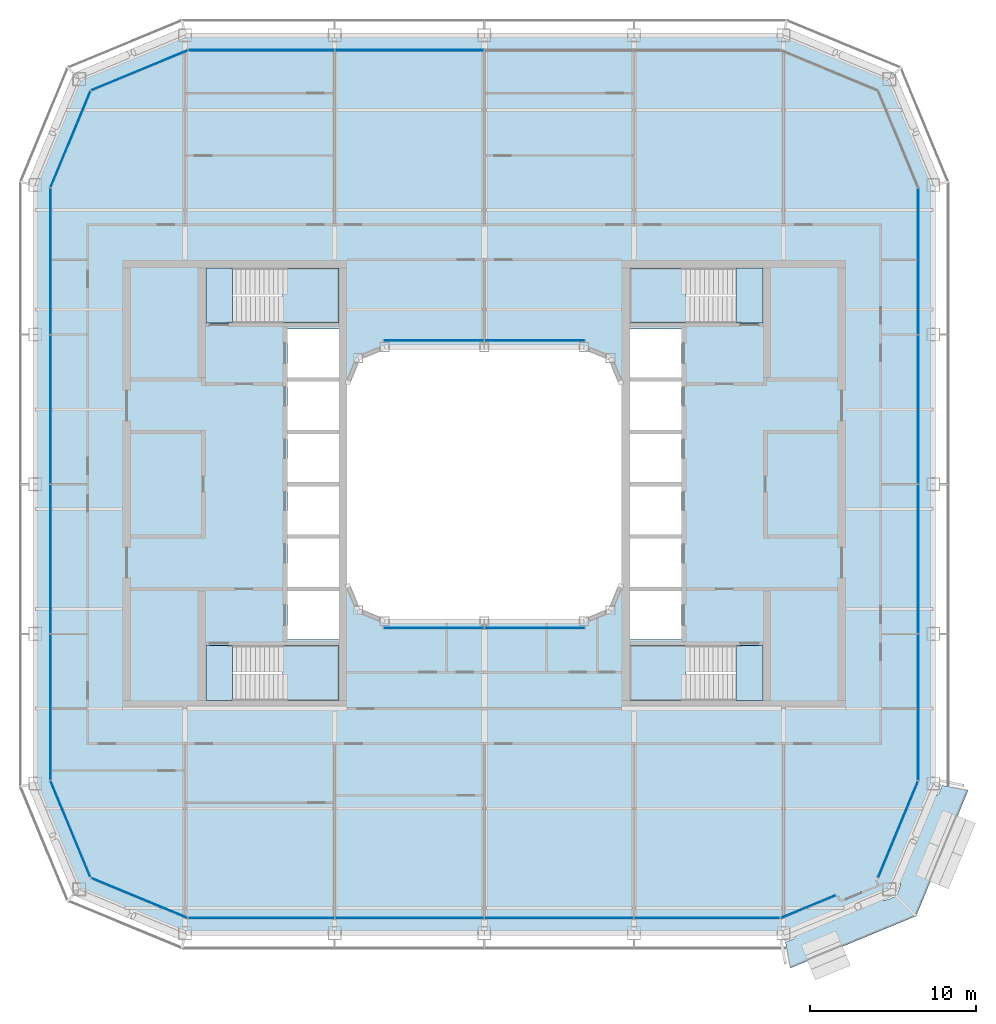
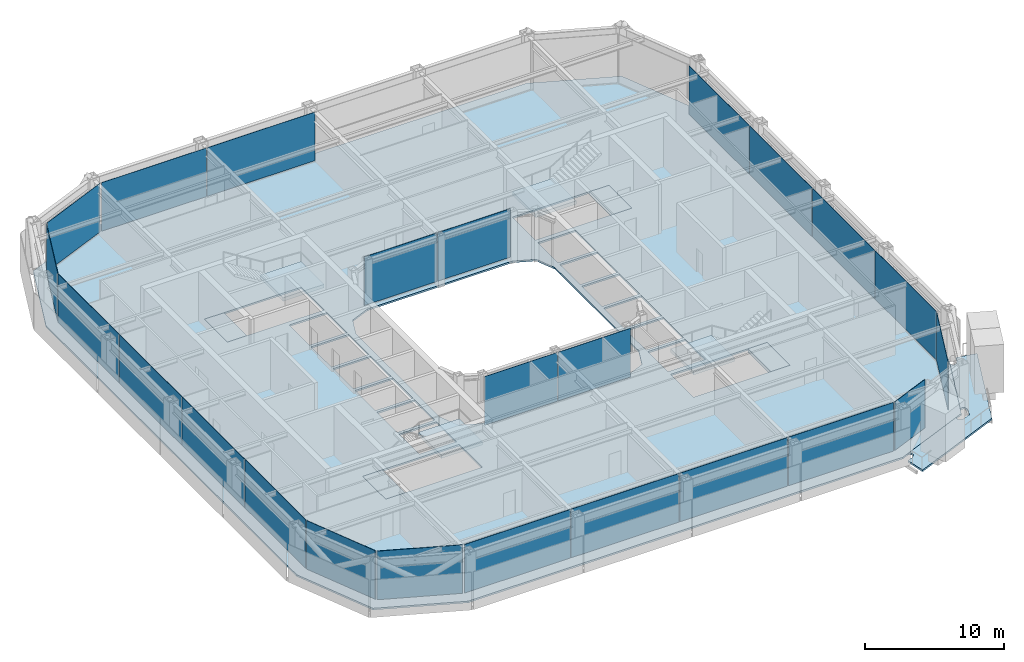
# One storey, part 11 of 23: 24 plates, 10 slabs, 16 elements without a shape of their own.
"""IFC4 building model written with IfcOpenShell, lengths in metres."""

from ifc_helpers import new_model, si_unit, direction, frame, origin, origin_2d, place, context, subcontext, project, spatial, polyline, rectangle, outline, extrude, material, layer, layer_set, type_object, element, aggregate, save


model = new_model("IFC4")

# Units and contexts
model_context = context("Model", 3, precision=1e-05, world=origin(), true_north=direction((0.0, 1.0)))
body_context = subcontext(model_context, "Body", "Model", "MODEL_VIEW")
ifc_project = project(units=[si_unit("LENGTHUNIT", "METRE"), si_unit("AREAUNIT", "SQUARE_METRE"), si_unit("VOLUMEUNIT", "CUBIC_METRE"), si_unit("PLANEANGLEUNIT", "RADIAN"), si_unit("MASSUNIT", "GRAM", prefix="KILO")], contexts=[model_context])

# Site, building, storey
site_placement = place(None, origin())
site = spatial("IfcSite", under=ifc_project, at=site_placement, CompositionType="ELEMENT")
building_placement = place(site_placement, origin())
building = spatial("IfcBuilding", under=site, at=building_placement, Name="Siwar Civic Tower", CompositionType="ELEMENT")
storey_placement = place(building_placement, frame((0.0, 0.0, 237.699951171875)))
storey = spatial("IfcBuildingStorey", under=building, at=storey_placement, Name="L51", CompositionType="ELEMENT", Elevation=237.699951171875)

# Stair, slabs
ifc_material_1 = material(Name="Concrete C40/50", Category="concrete")
stair_type = type_object("IfcStairType", Name="CORE-STAIR", PredefinedType="TWO_STRAIGHT_RUN_STAIR", material=ifc_material_1)
stair_1_placement = place(storey_placement, origin())
stair_1 = element("IfcStair", 1, at=stair_1_placement, inside=storey, type_object=stair_type, Name="Exit stair ST1", PredefinedType="TWO_STRAIGHT_RUN_STAIR")
ifc_material_2 = material(Name="Concrete C40/50", Category="concrete")
ifc_layer_1 = layer(ifc_material_2, 0.300048828125)
ifc_layer_set_1 = layer_set([ifc_layer_1], Name="Concrete C40/50")
slab_type_1 = type_object("IfcSlabType", Name="CORE-STAIR-LANDING", PredefinedType="LANDING", material=ifc_layer_set_1)
slab_1_placement = place(storey_placement, frame((0.0, 0.0, -0.300048828125)))
slab_1 = element("IfcSlab", 2, at=slab_1_placement, type_object=slab_type_1, Name="ST1 landing 1", PredefinedType="LANDING", context=body_context, shape_type="SweptSolid", body=[
    extrude(outline(polyline([(-15.14990234375, 13.0), (-16.75, 13.0), (-16.75, 9.699951171875), (-15.14990234375, 9.699951171875), (-15.14990234375, 13.0)])), origin(), (0.0, 0.0, 1.0), 0.300048828125),
])
slab_2_placement = place(storey_placement, frame((0.0, 0.0, 1.949951171875)))
slab_2 = element("IfcSlab", 3, at=slab_2_placement, type_object=slab_type_1, Name="ST1 landing 2", PredefinedType="LANDING", context=body_context, shape_type="SweptSolid", body=[
    extrude(outline(polyline([(-8.75, 13.0), (-12.139892578125, 13.0), (-12.139892578125, 9.699951171875), (-8.75, 9.699951171875), (-8.75, 13.0)])), origin(), (0.0, 0.0, 1.0), 0.300048828125),
])
aggregate(stair_1, [slab_1, slab_2])

stair_2_placement = place(storey_placement, origin())
stair_2 = element("IfcStair", 4, at=stair_2_placement, inside=storey, type_object=stair_type, Name="Exit stair ST2", PredefinedType="TWO_STRAIGHT_RUN_STAIR")
slab_3_placement = place(storey_placement, frame((0.0, 0.0, -0.300048828125)))
slab_3 = element("IfcSlab", 5, at=slab_3_placement, type_object=slab_type_1, Name="ST2 landing 1", PredefinedType="LANDING", context=body_context, shape_type="SweptSolid", body=[
    extrude(outline(polyline([(-15.14990234375, -9.699951171875), (-16.75, -9.699951171875), (-16.75, -13.0), (-15.14990234375, -13.0), (-15.14990234375, -9.699951171875)])), origin(), (0.0, 0.0, 1.0), 0.300048828125),
])
slab_4_placement = place(storey_placement, frame((0.0, 0.0, 1.949951171875)))
slab_4 = element("IfcSlab", 6, at=slab_4_placement, type_object=slab_type_1, Name="ST2 landing 2", PredefinedType="LANDING", context=body_context, shape_type="SweptSolid", body=[
    extrude(outline(polyline([(-8.75, -9.699951171875), (-12.139892578125, -9.699951171875), (-12.139892578125, -13.0), (-8.75, -13.0), (-8.75, -9.699951171875)])), origin(), (0.0, 0.0, 1.0), 0.300048828125),
])
aggregate(stair_2, [slab_3, slab_4])

stair_3_placement = place(storey_placement, origin())
stair_3 = element("IfcStair", 7, at=stair_3_placement, inside=storey, type_object=stair_type, Name="Exit stair ST3", PredefinedType="TWO_STRAIGHT_RUN_STAIR")
slab_5_placement = place(storey_placement, frame((0.0, 0.0, -0.300048828125)))
slab_5 = element("IfcSlab", 8, at=slab_5_placement, type_object=slab_type_1, Name="ST3 landing 1", PredefinedType="LANDING", context=body_context, shape_type="SweptSolid", body=[
    extrude(outline(polyline([(15.14990234375, 9.699951171875), (16.75, 9.699951171875), (16.75, 13.0), (15.14990234375, 13.0), (15.14990234375, 9.699951171875)])), origin(), (0.0, 0.0, 1.0), 0.300048828125),
])
slab_6_placement = place(storey_placement, frame((0.0, 0.0, 1.949951171875)))
slab_6 = element("IfcSlab", 9, at=slab_6_placement, type_object=slab_type_1, Name="ST3 landing 2", PredefinedType="LANDING", context=body_context, shape_type="SweptSolid", body=[
    extrude(outline(polyline([(8.75, 9.699951171875), (12.139892578125, 9.699951171875), (12.139892578125, 13.0), (8.75, 13.0), (8.75, 9.699951171875)])), origin(), (0.0, 0.0, 1.0), 0.300048828125),
])
aggregate(stair_3, [slab_5, slab_6])

stair_4_placement = place(storey_placement, origin())
stair_4 = element("IfcStair", 10, at=stair_4_placement, inside=storey, type_object=stair_type, Name="Exit stair ST4", PredefinedType="TWO_STRAIGHT_RUN_STAIR")
slab_7_placement = place(storey_placement, frame((0.0, 0.0, -0.300048828125)))
slab_7 = element("IfcSlab", 11, at=slab_7_placement, type_object=slab_type_1, Name="ST4 landing 1", PredefinedType="LANDING", context=body_context, shape_type="SweptSolid", body=[
    extrude(outline(polyline([(15.14990234375, -13.0), (16.75, -13.0), (16.75, -9.699951171875), (15.14990234375, -9.699951171875), (15.14990234375, -13.0)])), origin(), (0.0, 0.0, 1.0), 0.300048828125),
])
slab_8_placement = place(storey_placement, frame((0.0, 0.0, 1.949951171875)))
slab_8 = element("IfcSlab", 12, at=slab_8_placement, type_object=slab_type_1, Name="ST4 landing 2", PredefinedType="LANDING", context=body_context, shape_type="SweptSolid", body=[
    extrude(outline(polyline([(8.75, -13.0), (12.139892578125, -13.0), (12.139892578125, -9.699951171875), (8.75, -9.699951171875), (8.75, -13.0)])), origin(), (0.0, 0.0, 1.0), 0.300048828125),
])
aggregate(stair_4, [slab_7, slab_8])

# Slab
ifc_material_3 = material(Name="Concrete C40/50", Category="concrete")
ifc_layer_2 = layer(ifc_material_3, 0.14990234375)
ifc_layer_set_2 = layer_set([ifc_layer_2], Name="Concrete C40/50")
slab_type_2 = type_object("IfcSlabType", Name="ENV-BALCONY DECK 150", PredefinedType="FLOOR", material=ifc_layer_set_2)
slab_9_placement = place(storey_placement, frame((0.0, 0.0, -0.1494140625)))
element("IfcSlab", 13, at=slab_9_placement, inside=storey, type_object=slab_type_2, Name="Tree balcony deck SE", PredefinedType="FLOOR", context=body_context, shape_type="SweptSolid", body=[
    extrude(outline(polyline([(24.657470703125, -24.82080078125), (24.657470703125, -24.82080078125), (24.649658203125, -24.82421875), (24.40869140625, -24.924560546875), (24.362060546875, -24.94384765625), (24.35986328125, -24.94482421875), (24.305419921875, -24.96533203125), (24.300537109375, -24.967041015625), (24.244873046875, -24.98388671875), (24.238037109375, -24.985595703125), (24.189208984375, -24.99560546875), (24.183837890625, -24.99658203125), (24.13427734375, -25.002685546875), (24.12890625, -25.003173828125), (24.0791015625, -25.006103515625), (24.073974609375, -25.006103515625), (24.024169921875, -25.005615234375), (24.0185546875, -25.00537109375), (24.0126953125, -25.004638671875), (23.970947265625, -24.99755859375), (23.96337890625, -24.995849609375), (23.9560546875, -24.993408203125), (23.922607421875, -24.98046875), (23.91748046875, -24.978271484375), (23.88525390625, -24.962646484375), (23.880615234375, -24.96044921875), (23.849365234375, -24.942626953125), (23.84326171875, -24.93896484375), (23.837646484375, -24.9345703125), (23.83251953125, -24.9296875), (23.810546875, -24.906982421875), (23.804931640625, -24.900634765625), (23.80029296875, -24.8935546875), (23.796142578125, -24.885986328125), (23.78369140625, -24.85888671875), (23.78173828125, -24.85400390625), (23.771240234375, -24.826171875), (23.768798828125, -24.818115234375), (23.76708984375, -24.8095703125), (23.7666015625, -24.80126953125), (23.765869140625, -24.769775390625), (23.76611328125, -24.762451171875), (23.766845703125, -24.75537109375), (23.7685546875, -24.74853515625), (23.77783203125, -24.7138671875), (23.779541015625, -24.708984375), (23.791259765625, -24.675048828125), (23.793212890625, -24.669921875), (23.8076171875, -24.636962890625), (23.81103515625, -24.630126953125), (23.815185546875, -24.62353515625), (23.839599609375, -24.5888671875), (23.84326171875, -24.58447265625), (23.846923828125, -24.580078125), (23.85009765625, -24.57666015625), (18.531494140625, -26.77978515625), (18.5654296875, -26.7802734375), (18.5712890625, -26.780517578125), (18.576904296875, -26.78125), (18.61865234375, -26.788330078125), (18.626220703125, -26.789794921875), (18.633544921875, -26.792236328125), (18.6669921875, -26.805419921875), (18.672119140625, -26.8076171875), (18.70458984375, -26.822998046875), (18.709228515625, -26.825439453125), (18.740234375, -26.84326171875), (18.746337890625, -26.846923828125), (18.751953125, -26.851318359375), (18.75732421875, -26.856201171875), (18.779052734375, -26.87890625), (18.78466796875, -26.88525390625), (18.78955078125, -26.892333984375), (18.79345703125, -26.899658203125), (18.805908203125, -26.927001953125), (18.80810546875, -26.931884765625), (18.818603515625, -26.959716796875), (18.821044921875, -26.9677734375), (18.82275390625, -26.97607421875), (18.8232421875, -26.984619140625), (18.823974609375, -27.01611328125), (18.82373046875, -27.023193359375), (18.82275390625, -27.0302734375), (18.8212890625, -27.037353515625), (18.811767578125, -27.072021484375), (18.810302734375, -27.076904296875), (18.79833984375, -27.11083984375), (18.79638671875, -27.115966796875), (18.7822265625, -27.14892578125), (18.77880859375, -27.15576171875), (18.774658203125, -27.162353515625), (18.75, -27.197021484375), (18.74658203125, -27.201416015625), (18.74267578125, -27.205810546875), (18.7080078125, -27.241455078125), (18.704345703125, -27.2451171875), (18.667236328125, -27.278564453125), (18.663330078125, -27.281982421875), (18.623779296875, -27.312744140625), (18.619384765625, -27.31591796875), (18.577880859375, -27.343505859375), (18.57177734375, -27.34716796875), (18.520751953125, -27.374755859375), (18.51611328125, -27.377197265625), (18.463134765625, -27.4013671875), (18.4609375, -27.40234375), (18.453125, -27.405517578125), (18.425048828125, -27.417236328125), (18.425048828125, -27.425048828125), (18.406494140625, -27.425048828125), (18.17333984375, -27.522216796875), (18.16552734375, -27.525390625), (18.16552734375, -27.525390625), (18.15869140625, -27.52783203125), (18.13916015625, -27.533935546875), (18.13232421875, -27.53564453125), (18.12548828125, -27.53662109375), (18.107177734375, -27.538818359375), (18.417724609375, -29.10009765625), (25.97119140625, -25.97119140625), (29.10009765625, -18.417724609375), (27.5361328125, -18.106689453125), (27.5361328125, -18.107421875), (27.535400390625, -18.1240234375), (27.53466796875, -18.1328125), (27.53271484375, -18.141357421875), (27.5283203125, -18.156982421875), (27.525390625, -18.16552734375), (27.5234375, -18.170166015625), (27.522216796875, -18.17333984375), (27.515625, -18.18896484375), (27.49951171875, -18.227783203125), (27.494140625, -18.240234375), (27.425048828125, -18.406494140625), (27.425048828125, -18.425048828125), (27.417236328125, -18.425048828125), (27.405517578125, -18.453125), (27.40234375, -18.4609375), (27.4013671875, -18.463134765625), (27.377197265625, -18.51611328125), (27.374755859375, -18.520751953125), (27.34716796875, -18.57177734375), (27.343505859375, -18.577880859375), (27.31591796875, -18.619384765625), (27.312744140625, -18.623779296875), (27.281982421875, -18.663330078125), (27.278564453125, -18.667236328125), (27.2451171875, -18.704345703125), (27.241455078125, -18.7080078125), (27.205810546875, -18.74267578125), (27.201416015625, -18.74658203125), (27.197021484375, -18.75), (27.162353515625, -18.774658203125), (27.15576171875, -18.77880859375), (27.14892578125, -18.7822265625), (27.115966796875, -18.79638671875), (27.11083984375, -18.79833984375), (27.076904296875, -18.810302734375), (27.072021484375, -18.811767578125), (27.037353515625, -18.8212890625), (27.0302734375, -18.82275390625), (27.023193359375, -18.82373046875), (27.01611328125, -18.823974609375), (26.984619140625, -18.8232421875), (26.97607421875, -18.82275390625), (26.9677734375, -18.821044921875), (26.959716796875, -18.818603515625), (26.931884765625, -18.80810546875), (26.927001953125, -18.805908203125), (26.899658203125, -18.79345703125), (26.892333984375, -18.78955078125), (26.88525390625, -18.78466796875), (26.87890625, -18.779052734375), (26.856201171875, -18.75732421875), (26.851318359375, -18.751953125), (26.846923828125, -18.746337890625), (26.84326171875, -18.740234375), (26.825439453125, -18.709228515625), (26.822998046875, -18.70458984375), (26.8076171875, -18.672119140625), (26.805419921875, -18.6669921875), (26.792236328125, -18.633544921875), (26.789794921875, -18.626220703125), (26.788330078125, -18.61865234375), (26.78125, -18.576904296875), (26.780517578125, -18.5712890625), (26.7802734375, -18.5654296875), (26.77978515625, -18.531494140625), (24.57666015625, -23.85009765625), (24.580078125, -23.846923828125), (24.58447265625, -23.84326171875), (24.5888671875, -23.839599609375), (24.62353515625, -23.815185546875), (24.630126953125, -23.81103515625), (24.636962890625, -23.8076171875), (24.669921875, -23.793212890625), (24.675048828125, -23.791259765625), (24.708984375, -23.779541015625), (24.7138671875, -23.77783203125), (24.74853515625, -23.7685546875), (24.75537109375, -23.766845703125), (24.762451171875, -23.76611328125), (24.769775390625, -23.765869140625), (24.80126953125, -23.7666015625), (24.8095703125, -23.76708984375), (24.818115234375, -23.768798828125), (24.826171875, -23.771240234375), (24.85400390625, -23.78173828125), (24.85888671875, -23.78369140625), (24.885986328125, -23.796142578125), (24.8935546875, -23.80029296875), (24.900634765625, -23.804931640625), (24.906982421875, -23.810546875), (24.9296875, -23.83251953125), (24.9345703125, -23.837646484375), (24.93896484375, -23.84326171875), (24.942626953125, -23.849365234375), (24.96044921875, -23.880615234375), (24.962646484375, -23.88525390625), (24.978271484375, -23.91748046875), (24.98046875, -23.922607421875), (24.993408203125, -23.9560546875), (24.995849609375, -23.96337890625), (24.99755859375, -23.970947265625), (25.004638671875, -24.0126953125), (25.00537109375, -24.0185546875), (25.005615234375, -24.024169921875), (25.006103515625, -24.073974609375), (25.006103515625, -24.0791015625), (25.003173828125, -24.12890625), (25.002685546875, -24.13427734375), (24.99658203125, -24.183837890625), (24.99560546875, -24.189208984375), (24.985595703125, -24.238037109375), (24.98388671875, -24.244873046875), (24.967041015625, -24.300537109375), (24.96533203125, -24.305419921875), (24.94482421875, -24.35986328125), (24.94384765625, -24.362060546875), (24.924560546875, -24.40869140625), (24.82421875, -24.649658203125), (24.82080078125, -24.657470703125), (24.81689453125, -24.66552734375), (24.808837890625, -24.6796875), (24.80419921875, -24.68701171875), (24.798583984375, -24.693603515625), (24.7890625, -24.7041015625), (24.7890625, -24.7890625), (24.712646484375, -24.7890625), (24.695556640625, -24.801025390625), (24.686279296875, -24.806640625), (24.662353515625, -24.818603515625), (24.657470703125, -24.82080078125), (24.657470703125, -24.82080078125), (24.657470703125, -24.82080078125), (24.657470703125, -24.82080078125)])), origin(), (0.0, 0.0, 1.0), 0.1494140625),
])

# Curtain wall, plates
ifc_material_4 = material(Name="Aluminium and glass", Category="aluminium")
ifc_layer_3 = layer(ifc_material_4, 0.179931640625)
ifc_layer_set_3 = layer_set([ifc_layer_3], Name="Aluminium and glass")
curtain_wall_type_1 = type_object("IfcCurtainWallType", Name="ENV-CW-C", PredefinedType="NOTDEFINED", material=ifc_layer_set_3)
curtain_wall_1_placement = place(storey_placement, origin())
curtain_wall_1 = element("IfcCurtainWall", 14, at=curtain_wall_1_placement, inside=storey, type_object=curtain_wall_type_1, Name="Curtain wall C S", PredefinedType="NOTDEFINED")
ifc_material_5 = material(Name="Glass clear laminated", Category="glass")
ifc_layer_4 = layer(ifc_material_5, 0.031982421875)
ifc_layer_set_4 = layer_set([ifc_layer_4], Name="Glass clear laminated")
plate_type_1 = type_object("IfcPlateType", Name="ENV-PANEL-C", PredefinedType="CURTAIN_PANEL", material=ifc_layer_set_4)
plate_1_placement = place(storey_placement, frame((-13.410400390625, -26.10009765625, 0.10009765625), z_axis=(0.0, 0.0, 1.0), x_axis=(1.0, 0.0, 0.0)))
plate_1 = element("IfcPlate", 15, at=plate_1_placement, type_object=plate_type_1, Name="Curtain panel C S 1", PredefinedType="CURTAIN_PANEL", context=body_context, shape_type="SweptSolid", body=[
    extrude(rectangle(XDim=8.760986328125, YDim=0.031982421875, at=origin_2d()), origin(), (0.0, 0.0, 1.0), 4.25),
])
plate_2_placement = place(storey_placement, frame((-4.5, -26.10009765625, 0.10009765625), z_axis=(0.0, 0.0, 1.0), x_axis=(1.0, 0.0, 0.0)))
plate_2 = element("IfcPlate", 16, at=plate_2_placement, type_object=plate_type_1, Name="Curtain panel C S 2", PredefinedType="CURTAIN_PANEL", context=body_context, shape_type="SweptSolid", body=[
    extrude(rectangle(XDim=8.93994140625, YDim=0.031982421875, at=origin_2d()), origin(), (0.0, 0.0, 1.0), 4.25),
])
plate_3_placement = place(storey_placement, frame((4.5, -26.10009765625, 0.10009765625), z_axis=(0.0, 0.0, 1.0), x_axis=(1.0, 0.0, 0.0)))
plate_3 = element("IfcPlate", 17, at=plate_3_placement, type_object=plate_type_1, Name="Curtain panel C S 3", PredefinedType="CURTAIN_PANEL", context=body_context, shape_type="SweptSolid", body=[
    extrude(rectangle(XDim=8.93994140625, YDim=0.031982421875, at=origin_2d()), origin(), (0.0, 0.0, 1.0), 4.25),
])
plate_4_placement = place(storey_placement, frame((13.373046875, -26.10009765625, 0.10009765625), z_axis=(0.0, 0.0, 1.0), x_axis=(1.0, 0.0, 0.0)))
plate_4 = element("IfcPlate", 18, at=plate_4_placement, type_object=plate_type_1, Name="Curtain panel C S 4", PredefinedType="CURTAIN_PANEL", context=body_context, shape_type="SweptSolid", body=[
    extrude(rectangle(XDim=8.68603515625, YDim=0.031982421875, at=origin_2d()), origin(), (0.0, 0.0, 1.0), 4.25),
])
aggregate(curtain_wall_1, [plate_1, plate_2, plate_3, plate_4])

curtain_wall_2_placement = place(storey_placement, origin())
curtain_wall_2 = element("IfcCurtainWall", 19, at=curtain_wall_2_placement, inside=storey, type_object=curtain_wall_type_1, Name="Curtain wall C E", PredefinedType="NOTDEFINED")
plate_5_placement = place(storey_placement, frame((26.10009765625, -13.410400390625, 0.10009765625), z_axis=(0.0, 0.0, 1.0), x_axis=(0.0, 1.0, 0.0)))
plate_5 = element("IfcPlate", 20, at=plate_5_placement, type_object=plate_type_1, Name="Curtain panel C E 1", PredefinedType="CURTAIN_PANEL", context=body_context, shape_type="SweptSolid", body=[
    extrude(rectangle(XDim=8.760986328125, YDim=0.031982421875, at=origin_2d()), origin(), (0.0, 0.0, 1.0), 4.25),
])
plate_6_placement = place(storey_placement, frame((26.10009765625, -4.5, 0.10009765625), z_axis=(0.0, 0.0, 1.0), x_axis=(0.0, 1.0, 0.0)))
plate_6 = element("IfcPlate", 21, at=plate_6_placement, type_object=plate_type_1, Name="Curtain panel C E 2", PredefinedType="CURTAIN_PANEL", context=body_context, shape_type="SweptSolid", body=[
    extrude(rectangle(XDim=8.93994140625, YDim=0.031982421875, at=origin_2d()), origin(), (0.0, 0.0, 1.0), 4.25),
])
plate_7_placement = place(storey_placement, frame((26.10009765625, 4.5, 0.10009765625), z_axis=(0.0, 0.0, 1.0), x_axis=(0.0, 1.0, 0.0)))
plate_7 = element("IfcPlate", 22, at=plate_7_placement, type_object=plate_type_1, Name="Curtain panel C E 3", PredefinedType="CURTAIN_PANEL", context=body_context, shape_type="SweptSolid", body=[
    extrude(rectangle(XDim=8.93994140625, YDim=0.031982421875, at=origin_2d()), origin(), (0.0, 0.0, 1.0), 4.25),
])
plate_8_placement = place(storey_placement, frame((26.10009765625, 13.373046875, 0.10009765625), z_axis=(0.0, 0.0, 1.0), x_axis=(0.0, 1.0, 0.0)))
plate_8 = element("IfcPlate", 23, at=plate_8_placement, type_object=plate_type_1, Name="Curtain panel C E 4", PredefinedType="CURTAIN_PANEL", context=body_context, shape_type="SweptSolid", body=[
    extrude(rectangle(XDim=8.68603515625, YDim=0.031982421875, at=origin_2d()), origin(), (0.0, 0.0, 1.0), 4.25),
])
aggregate(curtain_wall_2, [plate_5, plate_6, plate_7, plate_8])

curtain_wall_3_placement = place(storey_placement, origin())
curtain_wall_3 = element("IfcCurtainWall", 24, at=curtain_wall_3_placement, inside=storey, type_object=curtain_wall_type_1, Name="Curtain wall C N", PredefinedType="NOTDEFINED")
plate_9_placement = place(storey_placement, frame((-4.5, 26.10009765625, 0.10009765625), z_axis=(0.0, 0.0, 1.0), x_axis=(-1.0, 0.0, 0.0)))
plate_9 = element("IfcPlate", 25, at=plate_9_placement, type_object=plate_type_1, Name="Curtain panel C N 3", PredefinedType="CURTAIN_PANEL", context=body_context, shape_type="SweptSolid", body=[
    extrude(rectangle(XDim=8.93994140625, YDim=0.031982421875, at=origin_2d()), origin(), (0.0, 0.0, 1.0), 4.25),
])
plate_10_placement = place(storey_placement, frame((-13.373046875, 26.10009765625, 0.10009765625), z_axis=(0.0, 0.0, 1.0), x_axis=(-1.0, 0.0, 0.0)))
plate_10 = element("IfcPlate", 26, at=plate_10_placement, type_object=plate_type_1, Name="Curtain panel C N 4", PredefinedType="CURTAIN_PANEL", context=body_context, shape_type="SweptSolid", body=[
    extrude(rectangle(XDim=8.68603515625, YDim=0.031982421875, at=origin_2d()), origin(), (0.0, 0.0, 1.0), 4.25),
])
aggregate(curtain_wall_3, [plate_9, plate_10])

curtain_wall_4_placement = place(storey_placement, origin())
curtain_wall_4 = element("IfcCurtainWall", 27, at=curtain_wall_4_placement, inside=storey, type_object=curtain_wall_type_1, Name="Curtain wall C W", PredefinedType="NOTDEFINED")
plate_11_placement = place(storey_placement, frame((-26.10009765625, 13.410400390625, 0.10009765625), z_axis=(0.0, 0.0, 1.0), x_axis=(0.0, -1.0, 0.0)))
plate_11 = element("IfcPlate", 28, at=plate_11_placement, type_object=plate_type_1, Name="Curtain panel C W 1", PredefinedType="CURTAIN_PANEL", context=body_context, shape_type="SweptSolid", body=[
    extrude(rectangle(XDim=8.760986328125, YDim=0.031982421875, at=origin_2d()), origin(), (0.0, 0.0, 1.0), 4.25),
])
plate_12_placement = place(storey_placement, frame((-26.10009765625, 4.5, 0.10009765625), z_axis=(0.0, 0.0, 1.0), x_axis=(0.0, -1.0, 0.0)))
plate_12 = element("IfcPlate", 29, at=plate_12_placement, type_object=plate_type_1, Name="Curtain panel C W 2", PredefinedType="CURTAIN_PANEL", context=body_context, shape_type="SweptSolid", body=[
    extrude(rectangle(XDim=8.93994140625, YDim=0.031982421875, at=origin_2d()), origin(), (0.0, 0.0, 1.0), 4.25),
])
plate_13_placement = place(storey_placement, frame((-26.10009765625, -4.5, 0.10009765625), z_axis=(0.0, 0.0, 1.0), x_axis=(0.0, -1.0, 0.0)))
plate_13 = element("IfcPlate", 30, at=plate_13_placement, type_object=plate_type_1, Name="Curtain panel C W 3", PredefinedType="CURTAIN_PANEL", context=body_context, shape_type="SweptSolid", body=[
    extrude(rectangle(XDim=8.93994140625, YDim=0.031982421875, at=origin_2d()), origin(), (0.0, 0.0, 1.0), 4.25),
])
plate_14_placement = place(storey_placement, frame((-26.10009765625, -13.373046875, 0.10009765625), z_axis=(0.0, 0.0, 1.0), x_axis=(0.0, -1.0, 0.0)))
plate_14 = element("IfcPlate", 31, at=plate_14_placement, type_object=plate_type_1, Name="Curtain panel C W 4", PredefinedType="CURTAIN_PANEL", context=body_context, shape_type="SweptSolid", body=[
    extrude(rectangle(XDim=8.68603515625, YDim=0.031982421875, at=origin_2d()), origin(), (0.0, 0.0, 1.0), 4.25),
])
aggregate(curtain_wall_4, [plate_11, plate_12, plate_13, plate_14])

# Curtain wall, plate
ifc_material_6 = material(Name="Aluminium clad insulated panel", Category="aluminium")
ifc_layer_5 = layer(ifc_material_6, 0.179931640625)
ifc_layer_set_5 = layer_set([ifc_layer_5], Name="Aluminium clad insulated panel")
curtain_wall_type_2 = type_object("IfcCurtainWallType", Name="ENV-CW-CX", PredefinedType="NOTDEFINED", material=ifc_layer_set_5)
curtain_wall_5_placement = place(storey_placement, origin())
curtain_wall_5 = element("IfcCurtainWall", 32, at=curtain_wall_5_placement, inside=storey, type_object=curtain_wall_type_2, Name="Curtain wall C SE1", PredefinedType="NOTDEFINED")
ifc_material_7 = material(Name="Aluminium clad insulated panel", Category="aluminium")
ifc_layer_6 = layer(ifc_material_7, 0.031982421875)
ifc_layer_set_6 = layer_set([ifc_layer_6], Name="Aluminium clad insulated panel")
plate_type_2 = type_object("IfcPlateType", Name="ENV-PANEL-CX", PredefinedType="CURTAIN_PANEL", material=ifc_layer_set_6)
plate_15_placement = place(storey_placement, frame((19.4873046875, -25.40966796875, 0.10009765625), z_axis=(0.0, 0.0, 1.0), x_axis=(0.923879532511, 0.382683432365, 0.0)))
plate_15 = element("IfcPlate", 33, at=plate_15_placement, type_object=plate_type_2, Name="Curtain panel C SE1 1", PredefinedType="CURTAIN_PANEL", context=body_context, shape_type="SweptSolid", body=[
    extrude(rectangle(XDim=3.54736328125, YDim=0.031982421875, at=origin_2d()), origin(), (0.0, 0.0, 1.0), 4.25),
])
aggregate(curtain_wall_5, [plate_15])

curtain_wall_6_placement = place(storey_placement, origin())
curtain_wall_6 = element("IfcCurtainWall", 34, at=curtain_wall_6_placement, inside=storey, type_object=curtain_wall_type_2, Name="Curtain wall C SE2", PredefinedType="NOTDEFINED")
plate_16_placement = place(storey_placement, frame((24.873291015625, -20.78271484375, 0.10009765625), z_axis=(0.0, 0.0, 1.0), x_axis=(0.382683432365, 0.923879532511, 0.0)))
plate_16 = element("IfcPlate", 35, at=plate_16_placement, type_object=plate_type_2, Name="Curtain panel C SE2 1", PredefinedType="CURTAIN_PANEL", context=body_context, shape_type="SweptSolid", body=[
    extrude(rectangle(XDim=6.20166015625, YDim=0.031982421875, at=origin_2d()), origin(), (0.0, 0.0, 1.0), 4.25),
])
aggregate(curtain_wall_6, [plate_16])

curtain_wall_7_placement = place(storey_placement, origin())
curtain_wall_7 = element("IfcCurtainWall", 36, at=curtain_wall_7_placement, inside=storey, type_object=curtain_wall_type_2, Name="Curtain wall C NW1", PredefinedType="NOTDEFINED")
plate_17_placement = place(storey_placement, frame((-20.71337890625, 24.90185546875, 0.10009765625), z_axis=(0.0, 0.0, 1.0), x_axis=(-0.923879532511, -0.382683432365, 0.0)))
plate_17 = element("IfcPlate", 37, at=plate_17_placement, type_object=plate_type_2, Name="Curtain panel C NW1 1", PredefinedType="CURTAIN_PANEL", context=body_context, shape_type="SweptSolid", body=[
    extrude(rectangle(XDim=6.20166015625, YDim=0.031982421875, at=origin_2d()), origin(), (0.0, 0.0, 1.0), 4.25),
])
aggregate(curtain_wall_7, [plate_17])

curtain_wall_8_placement = place(storey_placement, origin())
curtain_wall_8 = element("IfcCurtainWall", 38, at=curtain_wall_8_placement, inside=storey, type_object=curtain_wall_type_2, Name="Curtain wall C NW2", PredefinedType="NOTDEFINED")
plate_18_placement = place(storey_placement, frame((-24.873291015625, 20.78271484375, 0.10009765625), z_axis=(0.0, 0.0, 1.0), x_axis=(-0.382683432365, -0.923879532511, 0.0)))
plate_18 = element("IfcPlate", 39, at=plate_18_placement, type_object=plate_type_2, Name="Curtain panel C NW2 1", PredefinedType="CURTAIN_PANEL", context=body_context, shape_type="SweptSolid", body=[
    extrude(rectangle(XDim=6.20166015625, YDim=0.031982421875, at=origin_2d()), origin(), (0.0, 0.0, 1.0), 4.25),
])
aggregate(curtain_wall_8, [plate_18])

curtain_wall_9_placement = place(storey_placement, origin())
curtain_wall_9 = element("IfcCurtainWall", 40, at=curtain_wall_9_placement, inside=storey, type_object=curtain_wall_type_2, Name="Curtain wall C SW1", PredefinedType="NOTDEFINED")
plate_19_placement = place(storey_placement, frame((-24.90185546875, -20.71337890625, 0.10009765625), z_axis=(0.0, 0.0, 1.0), x_axis=(0.382683432365, -0.923879532511, 0.0)))
plate_19 = element("IfcPlate", 41, at=plate_19_placement, type_object=plate_type_2, Name="Curtain panel C SW1 1", PredefinedType="CURTAIN_PANEL", context=body_context, shape_type="SweptSolid", body=[
    extrude(rectangle(XDim=6.20166015625, YDim=0.031982421875, at=origin_2d()), origin(), (0.0, 0.0, 1.0), 4.25),
])
aggregate(curtain_wall_9, [plate_19])

curtain_wall_10_placement = place(storey_placement, origin())
curtain_wall_10 = element("IfcCurtainWall", 42, at=curtain_wall_10_placement, inside=storey, type_object=curtain_wall_type_2, Name="Curtain wall C SW2", PredefinedType="NOTDEFINED")
plate_20_placement = place(storey_placement, frame((-20.78271484375, -24.873291015625, 0.10009765625), z_axis=(0.0, 0.0, 1.0), x_axis=(0.923879532511, -0.382683432365, 0.0)))
plate_20 = element("IfcPlate", 43, at=plate_20_placement, type_object=plate_type_2, Name="Curtain panel C SW2 1", PredefinedType="CURTAIN_PANEL", context=body_context, shape_type="SweptSolid", body=[
    extrude(rectangle(XDim=6.20166015625, YDim=0.031982421875, at=origin_2d()), origin(), (0.0, 0.0, 1.0), 4.25),
])
aggregate(curtain_wall_10, [plate_20])

# Curtain wall, plates
ifc_material_8 = material(Name="Aluminium and glass", Category="aluminium")
ifc_layer_7 = layer(ifc_material_8, 0.179931640625)
ifc_layer_set_7 = layer_set([ifc_layer_7], Name="Aluminium and glass")
curtain_wall_type_3 = type_object("IfcCurtainWallType", Name="ENV-CW-W", PredefinedType="NOTDEFINED", material=ifc_layer_set_7)
curtain_wall_11_placement = place(storey_placement, origin())
curtain_wall_11 = element("IfcCurtainWall", 44, at=curtain_wall_11_placement, inside=storey, type_object=curtain_wall_type_3, Name="Curtain wall W WS", PredefinedType="NOTDEFINED")
ifc_material_9 = material(Name="Glass clear laminated", Category="glass")
ifc_layer_8 = layer(ifc_material_9, 0.031982421875)
ifc_layer_set_8 = layer_set([ifc_layer_8], Name="Glass clear laminated")
plate_type_3 = type_object("IfcPlateType", Name="ENV-PANEL-W", PredefinedType="CURTAIN_PANEL", material=ifc_layer_set_8)
plate_21_placement = place(storey_placement, frame((-3.038330078125, -8.635009765625, 0.10009765625), z_axis=(0.0, 0.0, 1.0), x_axis=(1.0, 0.0, 0.0)))
plate_21 = element("IfcPlate", 45, at=plate_21_placement, type_object=plate_type_3, Name="Curtain panel W WS 1", PredefinedType="CURTAIN_PANEL", context=body_context, shape_type="SweptSolid", body=[
    extrude(rectangle(XDim=6.0166015625, YDim=0.031982421875, at=origin_2d()), origin(), (0.0, 0.0, 1.0), 4.25),
])
plate_22_placement = place(storey_placement, frame((3.038330078125, -8.635009765625, 0.10009765625), z_axis=(0.0, 0.0, 1.0), x_axis=(1.0, 0.0, 0.0)))
plate_22 = element("IfcPlate", 46, at=plate_22_placement, type_object=plate_type_3, Name="Curtain panel W WS 2", PredefinedType="CURTAIN_PANEL", context=body_context, shape_type="SweptSolid", body=[
    extrude(rectangle(XDim=6.0166015625, YDim=0.031982421875, at=origin_2d()), origin(), (0.0, 0.0, 1.0), 4.25),
])
aggregate(curtain_wall_11, [plate_21, plate_22])

curtain_wall_12_placement = place(storey_placement, origin())
curtain_wall_12 = element("IfcCurtainWall", 47, at=curtain_wall_12_placement, inside=storey, type_object=curtain_wall_type_3, Name="Curtain wall W WN", PredefinedType="NOTDEFINED")
plate_23_placement = place(storey_placement, frame((3.038330078125, 8.635009765625, 0.10009765625), z_axis=(0.0, 0.0, 1.0), x_axis=(-1.0, 0.0, 0.0)))
plate_23 = element("IfcPlate", 48, at=plate_23_placement, type_object=plate_type_3, Name="Curtain panel W WN 1", PredefinedType="CURTAIN_PANEL", context=body_context, shape_type="SweptSolid", body=[
    extrude(rectangle(XDim=6.0166015625, YDim=0.031982421875, at=origin_2d()), origin(), (0.0, 0.0, 1.0), 4.25),
])
plate_24_placement = place(storey_placement, frame((-3.038330078125, 8.635009765625, 0.10009765625), z_axis=(0.0, 0.0, 1.0), x_axis=(-1.0, 0.0, 0.0)))
plate_24 = element("IfcPlate", 49, at=plate_24_placement, type_object=plate_type_3, Name="Curtain panel W WN 2", PredefinedType="CURTAIN_PANEL", context=body_context, shape_type="SweptSolid", body=[
    extrude(rectangle(XDim=6.0166015625, YDim=0.031982421875, at=origin_2d()), origin(), (0.0, 0.0, 1.0), 4.25),
])
aggregate(curtain_wall_12, [plate_23, plate_24])

# Slab
ifc_material_10 = material(Name="Concrete C40/50", Category="concrete")
ifc_layer_9 = layer(ifc_material_10, 0.14990234375)
ifc_layer_set_9 = layer_set([ifc_layer_9], Name="Concrete C40/50")
slab_type_3 = type_object("IfcSlabType", Name="STR-FLOOR-DECK-150", PredefinedType="FLOOR", material=ifc_layer_set_9)
slab_10_placement = place(storey_placement, frame((0.0, 0.0, -0.14990234375)))
element("IfcSlab", 50, at=slab_10_placement, inside=storey, type_object=slab_type_3, Name="L51/slab/1", PredefinedType="FLOOR", context=body_context, shape_type="SweptSolid", body=[
    extrude(outline(polyline([(-18.0, -27.0), (18.0, -27.0), (24.364013671875, -24.364013671875), (27.0, -18.0), (27.0, 18.0), (24.364013671875, 24.364013671875), (18.0, 27.0), (-18.0, 27.0), (-24.364013671875, 24.364013671875), (-27.0, 18.0), (-27.0, -18.0), (-24.364013671875, -24.364013671875), (-18.0, -27.0)]), holes=[polyline([(16.75, 13.0), (16.75, 9.699951171875), (8.75, 9.699951171875), (8.75, 13.0), (16.75, 13.0)]), polyline([(8.75, -9.699951171875), (16.75, -9.699951171875), (16.75, -13.0), (8.75, -13.0), (8.75, -9.699951171875)]), polyline([(11.85009765625, 9.324951171875), (11.85009765625, 6.425048828125), (8.75, 6.425048828125), (8.75, 9.324951171875), (11.85009765625, 9.324951171875)]), polyline([(8.75, 6.175048828125), (11.85009765625, 6.175048828125), (11.85009765625, 3.27490234375), (8.75, 3.27490234375), (8.75, 6.175048828125)]), polyline([(8.75, 3.02490234375), (11.85009765625, 3.02490234375), (11.85009765625, 0.125), (8.75, 0.125), (8.75, 3.02490234375)]), polyline([(8.75, -0.125), (11.85009765625, -0.125), (11.85009765625, -3.02490234375), (8.75, -3.02490234375), (8.75, -0.125)]), polyline([(8.75, -3.27490234375), (11.85009765625, -3.27490234375), (11.85009765625, -6.175048828125), (8.75, -6.175048828125), (8.75, -3.27490234375)]), polyline([(8.75, -6.425048828125), (11.85009765625, -6.425048828125), (11.85009765625, -9.324951171875), (8.75, -9.324951171875), (8.75, -6.425048828125)]), polyline([(-6.0, 8.25), (6.0, 8.25), (7.591064453125, 7.591064453125), (8.25, 6.0), (8.25, -6.0), (7.591064453125, -7.591064453125), (6.0, -8.25), (-6.0, -8.25), (-7.591064453125, -7.591064453125), (-8.25, -6.0), (-8.25, 6.0), (-7.591064453125, 7.591064453125), (-6.0, 8.25)]), polyline([(-8.75, -13.0), (-16.75, -13.0), (-16.75, -9.699951171875), (-8.75, -9.699951171875), (-8.75, -13.0)]), polyline([(-8.75, 9.699951171875), (-16.75, 9.699951171875), (-16.75, 13.0), (-8.75, 13.0), (-8.75, 9.699951171875)]), polyline([(-8.75, 6.425048828125), (-11.85009765625, 6.425048828125), (-11.85009765625, 9.324951171875), (-8.75, 9.324951171875), (-8.75, 6.425048828125)]), polyline([(-8.75, 3.27490234375), (-11.85009765625, 3.27490234375), (-11.85009765625, 6.175048828125), (-8.75, 6.175048828125), (-8.75, 3.27490234375)]), polyline([(-8.75, 0.125), (-11.85009765625, 0.125), (-11.85009765625, 3.02490234375), (-8.75, 3.02490234375), (-8.75, 0.125)]), polyline([(-8.75, -3.02490234375), (-11.85009765625, -3.02490234375), (-11.85009765625, -0.125), (-8.75, -0.125), (-8.75, -3.02490234375)]), polyline([(-8.75, -6.175048828125), (-11.85009765625, -6.175048828125), (-11.85009765625, -3.27490234375), (-8.75, -3.27490234375), (-8.75, -6.175048828125)]), polyline([(-8.75, -9.324951171875), (-11.85009765625, -9.324951171875), (-11.85009765625, -6.425048828125), (-8.75, -6.425048828125), (-8.75, -9.324951171875)])]), origin(), (0.0, 0.0, 1.0), 0.14990234375),
])

save(model, "model.ifc")
